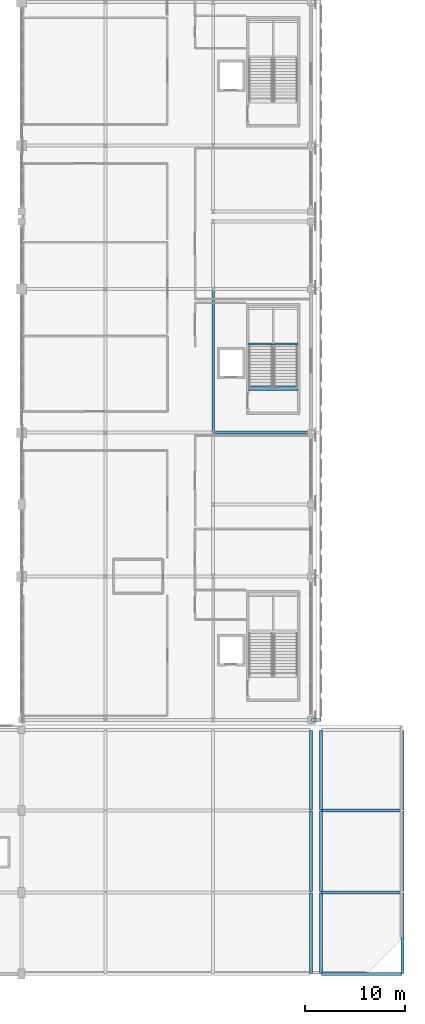
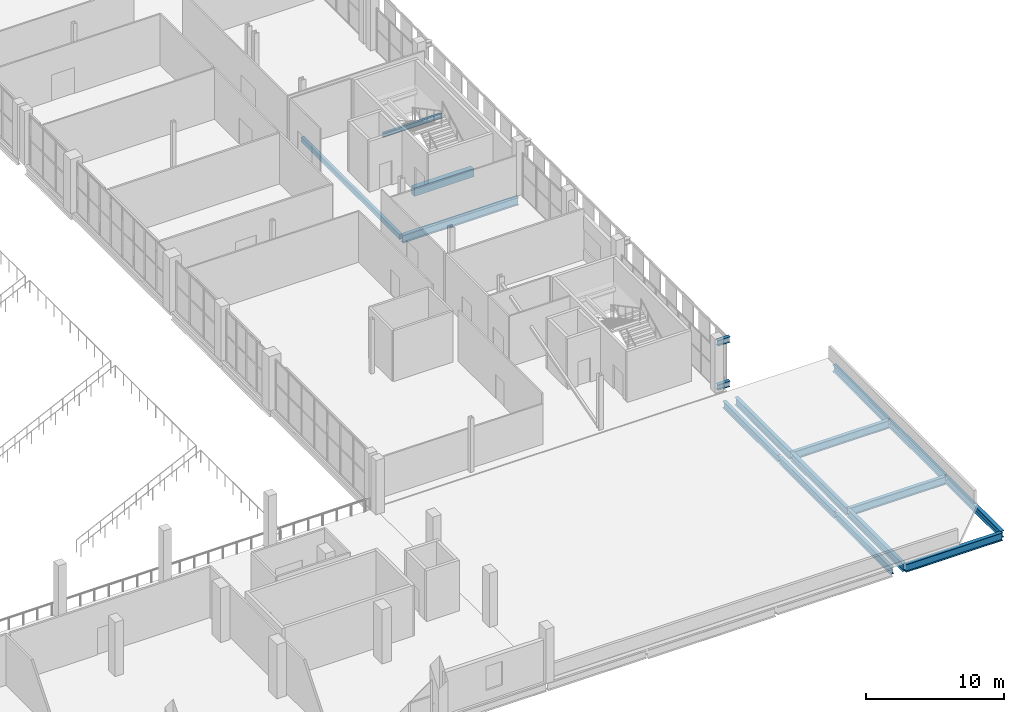
# One storey, part 38 of 104: 18 beams.
"""IFC4 building model written with IfcOpenShell, lengths in metres."""

from ifc_helpers import new_model, si_unit, direction, frame, origin, origin_2d, place, context, subcontext, project, spatial, rectangle, hollow_rectangle, i_section, extrude, material, material_profile, profile_set, type_object, element, save


model = new_model("IFC4")

# Units and contexts
model_context = context("Model", 3, precision=1e-05, world=origin(), true_north=direction((0.0, 1.0)))
body_context = subcontext(model_context, "Body", "Model", "MODEL_VIEW")
ifc_project = project(units=[si_unit("LENGTHUNIT", "METRE"), si_unit("AREAUNIT", "SQUARE_METRE"), si_unit("VOLUMEUNIT", "CUBIC_METRE"), si_unit("PLANEANGLEUNIT", "RADIAN"), si_unit("MASSUNIT", "GRAM", prefix="KILO")], contexts=[model_context])

# Site, building, storey
site_placement = place(None, origin())
site = spatial("IfcSite", under=ifc_project, at=site_placement, CompositionType="ELEMENT")
building_placement = place(site_placement, origin())
building = spatial("IfcBuilding", under=site, at=building_placement, Name="Koshinbarg Plaza Stadium", CompositionType="ELEMENT")
storey_placement = place(building_placement, frame((0.0, 0.0, 19.800048828125)))
storey = spatial("IfcBuildingStorey", under=building, at=storey_placement, Name="L04", CompositionType="ELEMENT", Elevation=19.800048828125)

# Beams
ifc_material_1 = material(Name="Steel S355", Category="steel")
ifc_material_profile_1 = material_profile(ifc_material_1, i_section(OverallWidth=0.300048828125, OverallDepth=0.5, WebThickness=0.014404296875, FlangeThickness=0.028076171875, at=origin_2d()), Name="HEB 500")
ifc_profile_set_1 = profile_set([ifc_material_profile_1], Name="Steel S355")
beam_type_1 = type_object("IfcBeamType", Name="BM-CANOPY-CANT", PredefinedType="BEAM", material=ifc_profile_set_1)
for number, where, z_axis, x_axis, name in (
    (1, (218.39990234375, 25.5, 0.25), (1.0, 0.0, 0.0), (0.0, 1.0, 0.0), "Outer screen cantilever outrigger E-L04-Y01"),
    (2, (218.39990234375, 25.5, 4.179931640625), (1.0, 0.0, 0.0), (0.0, 1.0, 0.0), "Outer screen cantilever outrigger E-L04-Y01"),
):
    element("IfcBeam", number, at=place(storey_placement, frame(where, z_axis=z_axis, x_axis=x_axis)), inside=storey, type_object=beam_type_1, Name=name, PredefinedType="BEAM", context=body_context, shape_type="SweptSolid", body=[
        extrude(i_section(OverallWidth=0.300048828125, OverallDepth=0.5, WebThickness=0.014404296875, FlangeThickness=0.028076171875, at=origin_2d()), origin(), (0.0, 0.0, 1.0), 1.030029296875),
    ])
ifc_material_2 = material(Name="Concrete C40/50", Category="concrete")
ifc_material_profile_2 = material_profile(ifc_material_2, rectangle(XDim=0.39990234375, YDim=0.75, at=origin_2d()), Name="RC 400x750")
ifc_profile_set_2 = profile_set([ifc_material_profile_2], Name="Concrete C40/50")
beam_type_2 = type_object("IfcBeamType", Name="BM-RCG-03", PredefinedType="USERDEFINED", material=ifc_profile_set_2)
beam_1_placement = place(storey_placement, frame((212.14990234375, 58.760009765625, -0.375), z_axis=(1.0, 0.0, 0.0), x_axis=(0.0, 1.0, 0.0)))
element("IfcBeam", 3, at=beam_1_placement, inside=storey, type_object=beam_type_2, Name="L04 stair landing header beam C08", ObjectType="GIRDER", PredefinedType="USERDEFINED", context=body_context, shape_type="SweptSolid", body=[
    extrude(rectangle(XDim=0.39990234375, YDim=0.75, at=origin_2d()), origin(), (0.0, 0.0, 1.0), 4.97021484375),
])
ifc_material_profile_3 = material_profile(ifc_material_1, i_section(OverallWidth=0.179931640625, OverallDepth=0.39990234375, WebThickness=0.008544921875, FlangeThickness=0.013427734375, at=origin_2d()), Name="IPE 400")
ifc_profile_set_3 = profile_set([ifc_material_profile_3], Name="Steel S355")
beam_type_3 = type_object("IfcBeamType", Name="BM-SBM-01", PredefinedType="BEAM", material=ifc_profile_set_3)
beam_2_placement = place(storey_placement, frame((212.14990234375, 63.2099609375, 1.8798828125), z_axis=(1.0, 0.0, 0.0), x_axis=(0.0, 1.0, 0.0)))
element("IfcBeam", 4, at=beam_2_placement, inside=storey, type_object=beam_type_3, Name="L04 Protected Exit Stair C08 landing trimmer beam 1", PredefinedType="BEAM", context=body_context, shape_type="SweptSolid", body=[
    extrude(i_section(OverallWidth=0.179931640625, OverallDepth=0.39990234375, WebThickness=0.008544921875, FlangeThickness=0.013427734375, at=origin_2d()), origin(), (0.0, 0.0, 1.0), 4.97021484375),
])
ifc_material_profile_4 = material_profile(ifc_material_1, i_section(OverallWidth=0.300048828125, OverallDepth=0.60009765625, WebThickness=0.015380859375, FlangeThickness=0.030029296875, at=origin_2d()), Name="HEB 600")
ifc_profile_set_4 = profile_set([ifc_material_profile_4], Name="Steel S355")
beam_type_4 = type_object("IfcBeamType", Name="BM-SGIR-02", PredefinedType="USERDEFINED", material=ifc_profile_set_4)
beam_3_placement = place(storey_placement, frame((218.39990234375, 0.06005859375, -0.60009765625), z_axis=(0.0, 1.0, 0.0), x_axis=(-1.0, 0.0, 0.0)))
element("IfcBeam", 5, at=beam_3_placement, inside=storey, type_object=beam_type_4, Name="L04 Y girder 21/A-B", ObjectType="GIRDER", PredefinedType="USERDEFINED", context=body_context, shape_type="SweptSolid", body=[
    extrude(i_section(OverallWidth=0.300048828125, OverallDepth=0.60009765625, WebThickness=0.015380859375, FlangeThickness=0.030029296875, at=origin_2d()), origin(), (0.0, 0.0, 1.0), 8.079833984375),
])
beam_4_placement = place(storey_placement, frame((218.39990234375, 8.260009765625, -0.60009765625), z_axis=(0.0, 1.0, 0.0), x_axis=(-1.0, 0.0, 0.0)))
element("IfcBeam", 6, at=beam_4_placement, inside=storey, type_object=beam_type_4, Name="L04 Y girder 21/B-C", ObjectType="GIRDER", PredefinedType="USERDEFINED", context=body_context, shape_type="SweptSolid", body=[
    extrude(i_section(OverallWidth=0.300048828125, OverallDepth=0.60009765625, WebThickness=0.015380859375, FlangeThickness=0.030029296875, at=origin_2d()), origin(), (0.0, 0.0, 1.0), 8.080078125),
])
beam_5_placement = place(storey_placement, frame((218.39990234375, 16.4599609375, -0.60009765625), z_axis=(0.0, 1.0, 0.0), x_axis=(-1.0, 0.0, 0.0)))
element("IfcBeam", 7, at=beam_5_placement, inside=storey, type_object=beam_type_4, Name="L04 Y girder 21/C-D", ObjectType="GIRDER", PredefinedType="USERDEFINED", context=body_context, shape_type="SweptSolid", body=[
    extrude(i_section(OverallWidth=0.300048828125, OverallDepth=0.60009765625, WebThickness=0.015380859375, FlangeThickness=0.030029296875, at=origin_2d()), origin(), (0.0, 0.0, 1.0), 7.97998046875),
])
beam_6_placement = place(storey_placement, frame((227.60009765625, 0.06005859375, -0.60009765625), z_axis=(0.0, 1.0, 0.0), x_axis=(-1.0, 0.0, 0.0)))
element("IfcBeam", 8, at=beam_6_placement, inside=storey, type_object=beam_type_4, Name="L04 Y girder 23/A-B", ObjectType="GIRDER", PredefinedType="USERDEFINED", context=body_context, shape_type="SweptSolid", body=[
    extrude(i_section(OverallWidth=0.300048828125, OverallDepth=0.60009765625, WebThickness=0.015380859375, FlangeThickness=0.030029296875, at=origin_2d()), origin(), (0.0, 0.0, 1.0), 8.079833984375),
])
beam_7_placement = place(storey_placement, frame((227.60009765625, 8.260009765625, -0.60009765625), z_axis=(0.0, 1.0, 0.0), x_axis=(-1.0, 0.0, 0.0)))
element("IfcBeam", 9, at=beam_7_placement, inside=storey, type_object=beam_type_4, Name="L04 Y girder 23/B-C", ObjectType="GIRDER", PredefinedType="USERDEFINED", context=body_context, shape_type="SweptSolid", body=[
    extrude(i_section(OverallWidth=0.300048828125, OverallDepth=0.60009765625, WebThickness=0.015380859375, FlangeThickness=0.030029296875, at=origin_2d()), origin(), (0.0, 0.0, 1.0), 8.080078125),
])
beam_8_placement = place(storey_placement, frame((227.60009765625, 16.4599609375, -0.60009765625), z_axis=(0.0, 1.0, 0.0), x_axis=(-1.0, 0.0, 0.0)))
element("IfcBeam", 10, at=beam_8_placement, inside=storey, type_object=beam_type_4, Name="L04 Y girder 23/C-D", ObjectType="GIRDER", PredefinedType="USERDEFINED", context=body_context, shape_type="SweptSolid", body=[
    extrude(i_section(OverallWidth=0.300048828125, OverallDepth=0.60009765625, WebThickness=0.015380859375, FlangeThickness=0.030029296875, at=origin_2d()), origin(), (0.0, 0.0, 1.0), 7.97998046875),
])
ifc_material_profile_5 = material_profile(ifc_material_1, i_section(OverallWidth=0.300048828125, OverallDepth=0.699951171875, WebThickness=0.01708984375, FlangeThickness=0.031982421875, at=origin_2d()), Name="HEB 700")
ifc_profile_set_5 = profile_set([ifc_material_profile_5], Name="Steel S355")
beam_type_5 = type_object("IfcBeamType", Name="BM-SGIR-03", PredefinedType="USERDEFINED", material=ifc_profile_set_5)
for number, where, z_axis, x_axis, name in (
    (11, (219.4599609375, 0.0, -0.650146484375), (1.0, 0.0, 0.0), (0.0, 1.0, 0.0), "L04 X girder A/22-23"),
    (12, (219.4599609375, 8.199951171875, -0.650146484375), (1.0, 0.0, 0.0), (0.0, 1.0, 0.0), "L04 X girder B/22-23"),
    (13, (219.4599609375, 16.39990234375, -0.650146484375), (1.0, 0.0, 0.0), (0.0, 1.0, 0.0), "L04 X girder C/22-23"),
):
    element("IfcBeam", number, at=place(storey_placement, frame(where, z_axis=z_axis, x_axis=x_axis)), inside=storey, type_object=beam_type_5, Name=name, ObjectType="GIRDER", PredefinedType="USERDEFINED", context=body_context, shape_type="SweptSolid", body=[
        extrude(i_section(OverallWidth=0.300048828125, OverallDepth=0.699951171875, WebThickness=0.01708984375, FlangeThickness=0.031982421875, at=origin_2d()), origin(), (0.0, 0.0, 1.0), 8.080078125),
    ])
beam_9_placement = place(storey_placement, frame((208.659912109375, 54.300048828125, -0.650146484375), z_axis=(1.0, 0.0, 0.0), x_axis=(0.0, 1.0, 0.0)))
element("IfcBeam", 14, at=beam_9_placement, inside=storey, type_object=beam_type_5, Name="L04 X girder H/20-21", ObjectType="GIRDER", PredefinedType="USERDEFINED", context=body_context, shape_type="SweptSolid", body=[
    extrude(i_section(OverallWidth=0.300048828125, OverallDepth=0.699951171875, WebThickness=0.01708984375, FlangeThickness=0.031982421875, at=origin_2d()), origin(), (0.0, 0.0, 1.0), 9.68017578125),
])
beam_10_placement = place(storey_placement, frame((219.39990234375, 0.06005859375, -0.650146484375), z_axis=(0.0, 1.0, 0.0), x_axis=(-1.0, 0.0, 0.0)))
element("IfcBeam", 15, at=beam_10_placement, inside=storey, type_object=beam_type_5, Name="L04 Y girder 22/A-B", ObjectType="GIRDER", PredefinedType="USERDEFINED", context=body_context, shape_type="SweptSolid", body=[
    extrude(i_section(OverallWidth=0.300048828125, OverallDepth=0.699951171875, WebThickness=0.01708984375, FlangeThickness=0.031982421875, at=origin_2d()), origin(), (0.0, 0.0, 1.0), 8.079833984375),
])
beam_11_placement = place(storey_placement, frame((219.39990234375, 8.260009765625, -0.650146484375), z_axis=(0.0, 1.0, 0.0), x_axis=(-1.0, 0.0, 0.0)))
element("IfcBeam", 16, at=beam_11_placement, inside=storey, type_object=beam_type_5, Name="L04 Y girder 22/B-C", ObjectType="GIRDER", PredefinedType="USERDEFINED", context=body_context, shape_type="SweptSolid", body=[
    extrude(i_section(OverallWidth=0.300048828125, OverallDepth=0.699951171875, WebThickness=0.01708984375, FlangeThickness=0.031982421875, at=origin_2d()), origin(), (0.0, 0.0, 1.0), 8.080078125),
])
beam_12_placement = place(storey_placement, frame((219.39990234375, 16.4599609375, -0.650146484375), z_axis=(0.0, 1.0, 0.0), x_axis=(-1.0, 0.0, 0.0)))
element("IfcBeam", 17, at=beam_12_placement, inside=storey, type_object=beam_type_5, Name="L04 Y girder 22/C-D", ObjectType="GIRDER", PredefinedType="USERDEFINED", context=body_context, shape_type="SweptSolid", body=[
    extrude(i_section(OverallWidth=0.300048828125, OverallDepth=0.699951171875, WebThickness=0.01708984375, FlangeThickness=0.031982421875, at=origin_2d()), origin(), (0.0, 0.0, 1.0), 7.97998046875),
])
ifc_material_profile_6 = material_profile(ifc_material_1, hollow_rectangle(XDim=0.25, YDim=0.449951171875, WallThickness=0.01611328125, at=origin_2d()), Name="RHS 450x250x16")
ifc_profile_set_6 = profile_set([ifc_material_profile_6], Name="Steel S355")
beam_type_6 = type_object("IfcBeamType", Name="BM-SGIR-06", PredefinedType="USERDEFINED", material=ifc_profile_set_6)
beam_13_placement = place(storey_placement, frame((208.60009765625, 54.360107421875, -0.525146484375), z_axis=(0.0, 1.0, 0.0), x_axis=(-1.0, 0.0, 0.0)))
element("IfcBeam", 18, at=beam_13_placement, inside=storey, type_object=beam_type_6, Name="L04 Y girder 20/H-J", ObjectType="GIRDER", PredefinedType="USERDEFINED", context=body_context, shape_type="SweptSolid", body=[
    extrude(hollow_rectangle(XDim=0.25, YDim=0.449951171875, WallThickness=0.01611328125, at=origin_2d()), origin(), (0.0, 0.0, 1.0), 14.27978515625),
])

save(model, "model.ifc")
